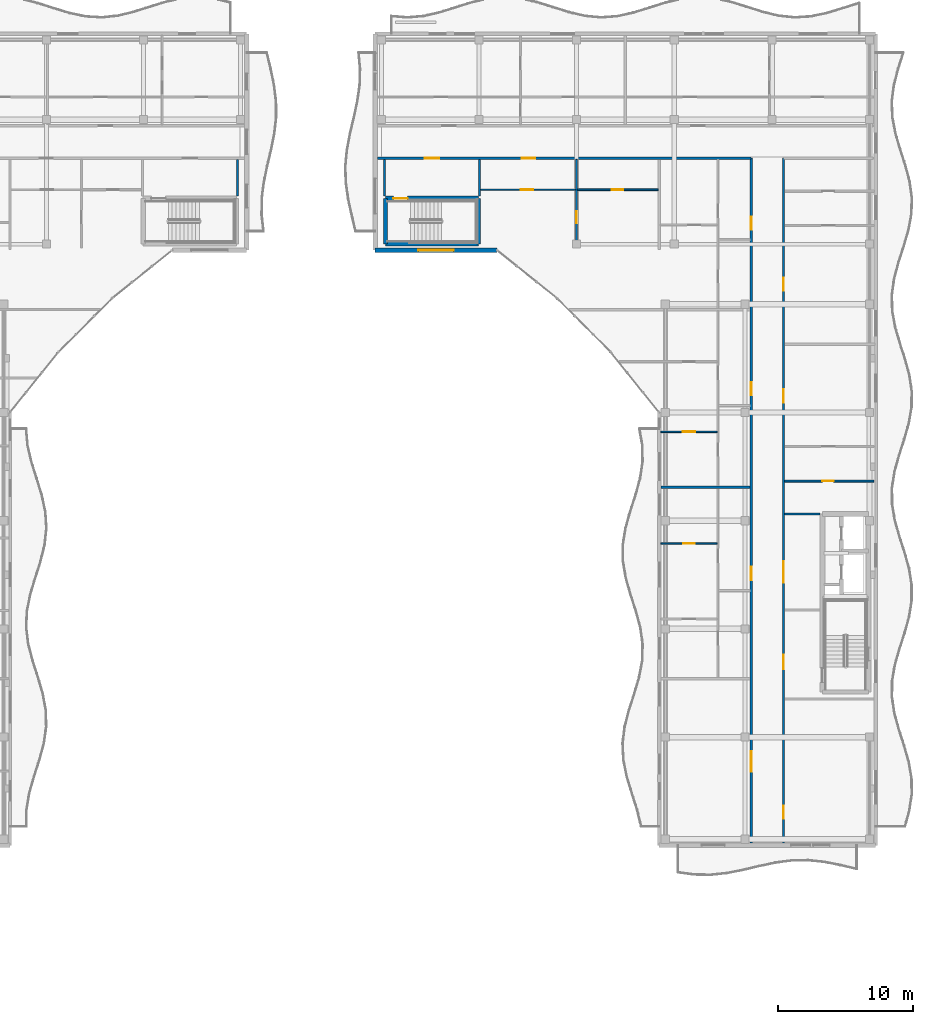
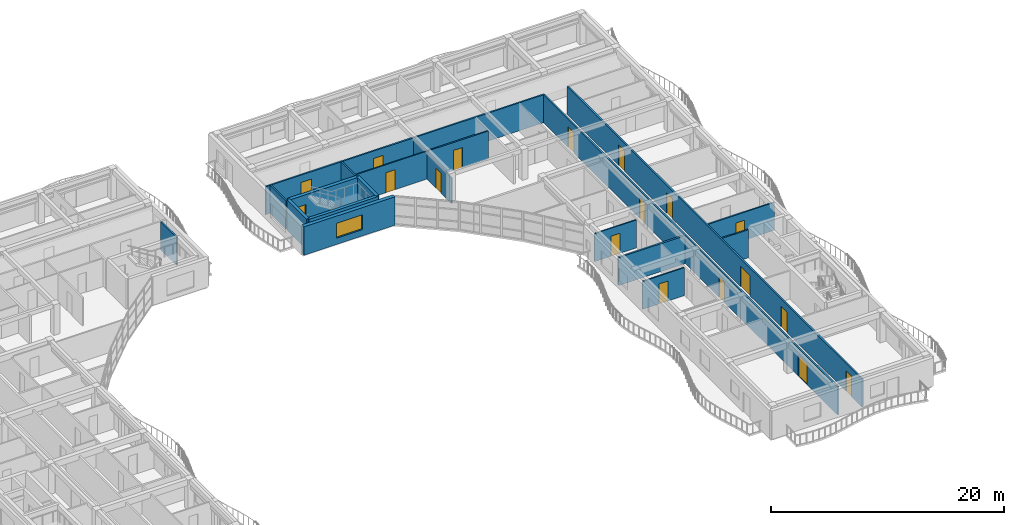
# One storey, part 51 of 79: 19 walls, 18 doors, 1 window, 19 openings.
"""IFC4 building model written with IfcOpenShell, lengths in metres."""

from ifc_helpers import new_model, si_unit, direction, frame, frame_2d, origin, place, context, subcontext, project, spatial, rectangle, extrude, material, layer, layer_set, type_object, element, fill, save


model = new_model("IFC4")

# Units and contexts
model_context = context("Model", 3, precision=1e-05, world=origin(), true_north=direction((0.0, 1.0)))
body_context = subcontext(model_context, "Body", "Model", "MODEL_VIEW")
ifc_project = project(units=[si_unit("LENGTHUNIT", "METRE"), si_unit("AREAUNIT", "SQUARE_METRE"), si_unit("VOLUMEUNIT", "CUBIC_METRE"), si_unit("PLANEANGLEUNIT", "RADIAN"), si_unit("MASSUNIT", "GRAM", prefix="KILO")], contexts=[model_context])

# Site, building, storey
site_placement = place(None, origin())
site = spatial("IfcSite", under=ifc_project, at=site_placement, CompositionType="ELEMENT")
building_placement = place(site_placement, origin())
building = spatial("IfcBuilding", under=site, at=building_placement, Name="Keldmere Railside Commons", CompositionType="ELEMENT")
storey_placement = place(building_placement, frame((0.0, 0.0, 10.56005859375)))
storey = spatial("IfcBuildingStorey", under=building, at=storey_placement, Name="L03", CompositionType="ELEMENT", Elevation=10.56005859375)

# Wall
ifc_material_1 = material(Name="Acoustic Gypsum Board Partition", Category="gypsum")
ifc_layer_1 = layer(ifc_material_1, 0.179931640625, Name="Acoustic Demising Partition 180")
ifc_layer_set_1 = layer_set([ifc_layer_1], Name="Acoustic Gypsum Board Partition")
wall_type_1 = type_object("IfcWallType", Name="Acoustic Demising Partition 180", PredefinedType="PARTITIONING", material=ifc_layer_set_1)
wall_1_placement = place(storey_placement, frame((168.1298828125, 82.4599609375, 0.0), z_axis=(0.0, 0.0, 1.0), x_axis=(1.0, 0.0, 0.0)))
element("IfcWall", 1, at=wall_1_placement, inside=storey, type_object=wall_type_1, Name="IW-1 IW-L03-1518", PredefinedType="PARTITIONING", context=body_context, shape_type="SweptSolid", body=[
    extrude(rectangle(XDim=6.590087890625, YDim=0.179931640625, at=frame_2d((3.294921875, 0.0))), origin(), (0.0, 0.0, 1.0), 2.93505859375),
])

# Wall, opening, door
ifc_layer_2 = layer(ifc_material_1, 0.1201171875, Name="Apartment Interior Partition 120")
ifc_layer_set_2 = layer_set([ifc_layer_2], Name="Acoustic Gypsum Board Partition")
wall_type_2 = type_object("IfcWallType", Name="Apartment Interior Partition 120", PredefinedType="PARTITIONING", material=ifc_layer_set_2)
wall_2_placement = place(storey_placement, frame((168.1298828125, 78.320068359375, 0.0), z_axis=(0.0, 0.0, 1.0), x_axis=(1.0, 0.0, 0.0)))
wall_2 = element("IfcWall", 2, at=wall_2_placement, inside=storey, type_object=wall_type_2, Name="IW-4 IW-L03-1523", PredefinedType="PARTITIONING", context=body_context, shape_type="SweptSolid", body=[
    extrude(rectangle(XDim=4.150146484375, YDim=0.1201171875, at=frame_2d((2.0751953125, 0.0))), origin(), (0.0, 0.0, 1.0), 2.93505859375),
])
opening_1_placement = place(wall_2_placement, frame((1.635009765625, 0.0, 0.0)))
opening_1 = element("IfcOpeningElement", 3, at=opening_1_placement, cuts=wall_2, Name="Opening ID-02", PredefinedType="OPENING", context=body_context, shape_type="SweptSolid", body=[
    extrude(rectangle(XDim=0.8798828125, YDim=2.10009765625, at=frame_2d((0.43994140625, 1.050048828125))), frame((0.0, 0.070068359375, 0.0), z_axis=(0.0, -1.0, 0.0), x_axis=(1.0, 0.0, 0.0)), (0.0, 0.0, 1.0), 0.14013671875),
])
ifc_material_2 = material(Name="Engineered Oak Timber", Category="wood")
door_type_1 = type_object("IfcDoorType", Name="Secondary Bedroom Door 880x2100", OperationType="NOTDEFINED", PredefinedType="DOOR", material=ifc_material_2)
door_1_placement = place(opening_1_placement, origin())
door_1 = element("IfcDoor", 4, at=door_1_placement, inside=storey, type_object=door_type_1, Name="ID-02 IDR-L03-1367", OperationType="SINGLE_SWING_LEFT", OverallHeight=2.10009765625, OverallWidth=0.8798828125, PredefinedType="DOOR", context=body_context, shape_type="SweptSolid", body=[
    extrude(rectangle(XDim=0.8798828125, YDim=2.10009765625, at=frame_2d((0.43994140625, 1.050048828125))), frame((0.0, 0.02490234375, 0.0), z_axis=(0.0, -1.0, 0.0), x_axis=(1.0, 0.0, 0.0)), (0.0, 0.0, 1.0), 0.050048828125),
])
fill(opening_1, door_1)

wall_3_placement = place(storey_placement, frame((168.1298828125, 86.570068359375, 0.0), z_axis=(0.0, 0.0, 1.0), x_axis=(1.0, 0.0, 0.0)))
wall_3 = element("IfcWall", 5, at=wall_3_placement, inside=storey, type_object=wall_type_2, Name="IW-4 IW-L03-1526", PredefinedType="PARTITIONING", context=body_context, shape_type="SweptSolid", body=[
    extrude(rectangle(XDim=4.150146484375, YDim=0.1201171875, at=frame_2d((2.0751953125, 0.0))), origin(), (0.0, 0.0, 1.0), 2.93505859375),
])
opening_2_placement = place(wall_3_placement, frame((1.625, 0.0, 0.0)))
opening_2 = element("IfcOpeningElement", 6, at=opening_2_placement, cuts=wall_3, Name="Opening ID-01", PredefinedType="OPENING", context=body_context, shape_type="SweptSolid", body=[
    extrude(rectangle(XDim=0.89990234375, YDim=2.10009765625, at=frame_2d((0.449951171875, 1.050048828125))), frame((0.0, 0.070068359375, 0.0), z_axis=(0.0, -1.0, 0.0), x_axis=(1.0, 0.0, 0.0)), (0.0, 0.0, 1.0), 0.14013671875),
])
door_type_2 = type_object("IfcDoorType", Name="Primary Bedroom Door 900x2100", OperationType="NOTDEFINED", PredefinedType="DOOR", material=ifc_material_2)
door_2_placement = place(opening_2_placement, origin())
door_2 = element("IfcDoor", 7, at=door_2_placement, inside=storey, type_object=door_type_2, Name="ID-01 IDR-L03-1371", OperationType="SINGLE_SWING_LEFT", OverallHeight=2.10009765625, OverallWidth=0.89990234375, PredefinedType="DOOR", context=body_context, shape_type="SweptSolid", body=[
    extrude(rectangle(XDim=0.89990234375, YDim=2.10009765625, at=frame_2d((0.449951171875, 1.050048828125))), frame((0.0, 0.02490234375, 0.0), z_axis=(0.0, -1.0, 0.0), x_axis=(1.0, 0.0, 0.0)), (0.0, 0.0, 1.0), 0.050048828125),
])
fill(opening_2, door_2)

wall_4_placement = place(storey_placement, frame((161.8798828125, 100.179931640625, 0.0), z_axis=(0.0, 0.0, 1.0), x_axis=(0.0, 1.0, 0.0)))
wall_4 = element("IfcWall", 8, at=wall_4_placement, inside=storey, type_object=wall_type_2, Name="IW-4 IW-L03-1538", PredefinedType="PARTITIONING", context=body_context, shape_type="SweptSolid", body=[
    extrude(rectangle(XDim=6.5400390625, YDim=0.1201171875, at=frame_2d((3.27001953125, 0.0))), origin(), (0.0, 0.0, 1.0), 2.679931640625),
])
opening_3_placement = place(wall_4_placement, frame((1.8017578125, 0.0, 0.0)))
opening_3 = element("IfcOpeningElement", 9, at=opening_3_placement, cuts=wall_4, Name="Opening ID-02", PredefinedType="OPENING", context=body_context, shape_type="SweptSolid", body=[
    extrude(rectangle(XDim=0.8798828125, YDim=2.10009765625, at=frame_2d((0.43994140625, 1.050048828125))), frame((0.0, 0.070068359375, 0.0), z_axis=(0.0, -1.0, 0.0), x_axis=(1.0, 0.0, 0.0)), (0.0, 0.0, 1.0), 0.14013671875),
])
door_3_placement = place(opening_3_placement, origin())
door_3 = element("IfcDoor", 10, at=door_3_placement, inside=storey, type_object=door_type_1, Name="ID-02 IDR-L03-1389", OperationType="SINGLE_SWING_LEFT", OverallHeight=2.10009765625, OverallWidth=0.8798828125, PredefinedType="DOOR", context=body_context, shape_type="SweptSolid", body=[
    extrude(rectangle(XDim=0.8798828125, YDim=2.10009765625, at=frame_2d((0.43994140625, 1.050048828125))), frame((0.0, 0.02490234375, 0.0), z_axis=(0.0, -1.0, 0.0), x_axis=(1.0, 0.0, 0.0)), (0.0, 0.0, 1.0), 0.050048828125),
])
fill(opening_3, door_3)

ifc_layer_3 = layer(ifc_material_1, 0.10009765625, Name="Closet Light Partition 100")
ifc_layer_set_3 = layer_set([ifc_layer_3], Name="Acoustic Gypsum Board Partition")
wall_type_3 = type_object("IfcWallType", Name="Closet Light Partition 100", PredefinedType="PARTITIONING", material=ifc_layer_set_3)
wall_5_placement = place(storey_placement, frame((154.800048828125, 104.469970703125, 0.0), z_axis=(0.0, 0.0, 1.0), x_axis=(1.0, 0.0, 0.0)))
wall_5 = element("IfcWall", 11, at=wall_5_placement, inside=storey, type_object=wall_type_3, Name="IW-6 IW-L03-1540", PredefinedType="PARTITIONING", context=body_context, shape_type="SweptSolid", body=[
    extrude(rectangle(XDim=7.02001953125, YDim=0.10009765625, at=frame_2d((3.510009765625, 0.0))), origin(), (0.0, 0.0, 1.0), 2.93505859375),
])
opening_4_placement = place(wall_5_placement, frame((2.9736328125, 0.0, 0.0)))
opening_4 = element("IfcOpeningElement", 12, at=opening_4_placement, cuts=wall_5, Name="Opening ID-03", PredefinedType="OPENING", context=body_context, shape_type="SweptSolid", body=[
    extrude(rectangle(XDim=0.919921875, YDim=2.10009765625, at=frame_2d((0.4599609375, 1.050048828125))), frame((0.0, 0.06005859375, 0.0), z_axis=(0.0, -1.0, 0.0), x_axis=(1.0, 0.0, 0.0)), (0.0, 0.0, 1.0), 0.1201171875),
])
door_type_3 = type_object("IfcDoorType", Name="Kitchen Pocket-Frame Swing Door 920x2100", OperationType="NOTDEFINED", PredefinedType="DOOR", material=ifc_material_2)
door_4_placement = place(opening_4_placement, origin())
door_4 = element("IfcDoor", 13, at=door_4_placement, inside=storey, type_object=door_type_3, Name="ID-03 IDR-L03-1388", OperationType="SINGLE_SWING_RIGHT", OverallHeight=2.10009765625, OverallWidth=0.919921875, PredefinedType="DOOR", context=body_context, shape_type="SweptSolid", body=[
    extrude(rectangle(XDim=0.919921875, YDim=2.10009765625, at=frame_2d((0.4599609375, 1.050048828125))), frame((0.0, 0.02490234375, 0.0), z_axis=(0.0, -1.0, 0.0), x_axis=(1.0, 0.0, 0.0)), (0.0, 0.0, 1.0), 0.050048828125),
])
fill(opening_4, door_4)

# Wall, openings, doors
ifc_layer_4 = layer(ifc_material_1, 0.159912109375, Name="Corridor Fire Partition 160")
ifc_layer_set_4 = layer_set([ifc_layer_4], Name="Acoustic Gypsum Board Partition")
wall_type_4 = type_object("IfcWallType", Name="Corridor Fire Partition 160", PredefinedType="PARTITIONING", material=ifc_layer_set_4)
wall_6_placement = place(storey_placement, frame((174.800048828125, 56.179931640625, 0.0), z_axis=(0.0, 0.0, 1.0), x_axis=(0.0, 1.0, 0.0)))
wall_6 = element("IfcWall", 14, at=wall_6_placement, inside=storey, type_object=wall_type_4, Name="IW-2 IW-L03-1509", PredefinedType="PARTITIONING", context=body_context, shape_type="SweptSolid", body=[
    extrude(rectangle(XDim=50.6201171875, YDim=0.159912109375, at=frame_2d((25.31005859375, 0.0))), origin(), (0.0, 0.0, 1.0), 2.93505859375),
])
opening_5_placement = place(wall_6_placement, frame((5.27001953125, 0.0, 0.0)))
opening_5 = element("IfcOpeningElement", 15, at=opening_5_placement, cuts=wall_6, Name="Opening ID-07", PredefinedType="OPENING", context=body_context, shape_type="SweptSolid", body=[
    extrude(rectangle(XDim=1.5, YDim=2.199951171875, at=frame_2d((0.75, 1.10009765625))), frame((0.0, 0.08984375, 0.0), z_axis=(0.0, -1.0, 0.0), x_axis=(1.0, 0.0, 0.0)), (0.0, 0.0, 1.0), 0.179931640625),
])
opening_6_placement = place(wall_6_placement, frame((19.39990234375, 0.0, 0.0)))
opening_6 = element("IfcOpeningElement", 16, at=opening_6_placement, cuts=wall_6, Name="Opening FD-8", PredefinedType="OPENING", context=body_context, shape_type="SweptSolid", body=[
    extrude(rectangle(XDim=1.02001953125, YDim=2.14990234375, at=frame_2d((0.510009765625, 1.074951171875))), frame((0.0, 0.08984375, 0.0), z_axis=(0.0, -1.0, 0.0), x_axis=(1.0, 0.0, 0.0)), (0.0, 0.0, 1.0), 0.179931640625),
])
opening_7_placement = place(wall_6_placement, frame((33.080078125, 0.0, 0.0)))
opening_7 = element("IfcOpeningElement", 17, at=opening_7_placement, cuts=wall_6, Name="Opening FD-7", PredefinedType="OPENING", context=body_context, shape_type="SweptSolid", body=[
    extrude(rectangle(XDim=0.97998046875, YDim=2.14990234375, at=frame_2d((0.489990234375, 1.074951171875))), frame((0.0, 0.08984375, 0.0), z_axis=(0.0, -1.0, 0.0), x_axis=(1.0, 0.0, 0.0)), (0.0, 0.0, 1.0), 0.179931640625),
])
opening_8_placement = place(wall_6_placement, frame((45.330078125, 0.0, 0.0)))
opening_8 = element("IfcOpeningElement", 18, at=opening_8_placement, cuts=wall_6, Name="Opening FD-7", PredefinedType="OPENING", context=body_context, shape_type="SweptSolid", body=[
    extrude(rectangle(XDim=0.97998046875, YDim=2.14990234375, at=frame_2d((0.489990234375, 1.074951171875))), frame((0.0, 0.08984375, 0.0), z_axis=(0.0, -1.0, 0.0), x_axis=(1.0, 0.0, 0.0)), (0.0, 0.0, 1.0), 0.179931640625),
])
door_type_4 = type_object("IfcDoorType", Name="Adaptable Apartment Entrance Fire Door 1020x2150", OperationType="NOTDEFINED", PredefinedType="DOOR", material=ifc_material_2)
door_5_placement = place(opening_6_placement, origin())
door_5 = element("IfcDoor", 19, at=door_5_placement, inside=storey, type_object=door_type_4, Name="FD-8 IDR-L03-1365", OperationType="SINGLE_SWING_LEFT", OverallHeight=2.14990234375, OverallWidth=1.02001953125, PredefinedType="DOOR", context=body_context, shape_type="SweptSolid", body=[
    extrude(rectangle(XDim=1.02001953125, YDim=2.14990234375, at=frame_2d((0.510009765625, 1.074951171875))), frame((0.0, 0.02490234375, 0.0), z_axis=(0.0, -1.0, 0.0), x_axis=(1.0, 0.0, 0.0)), (0.0, 0.0, 1.0), 0.050048828125),
])
fill(opening_6, door_5)
door_type_5 = type_object("IfcDoorType", Name="Apartment Entrance Acoustic Fire Door 980x2150", OperationType="NOTDEFINED", PredefinedType="DOOR", material=ifc_material_2)
door_6_placement = place(opening_7_placement, origin())
door_6 = element("IfcDoor", 20, at=door_6_placement, inside=storey, type_object=door_type_5, Name="FD-7 IDR-L03-1370", OperationType="SINGLE_SWING_RIGHT", OverallHeight=2.14990234375, OverallWidth=0.97998046875, PredefinedType="DOOR", context=body_context, shape_type="SweptSolid", body=[
    extrude(rectangle(XDim=0.97998046875, YDim=2.14990234375, at=frame_2d((0.489990234375, 1.074951171875))), frame((0.0, 0.02490234375, 0.0), z_axis=(0.0, -1.0, 0.0), x_axis=(1.0, 0.0, 0.0)), (0.0, 0.0, 1.0), 0.050048828125),
])
fill(opening_7, door_6)
door_7_placement = place(opening_8_placement, origin())
door_7 = element("IfcDoor", 21, at=door_7_placement, inside=storey, type_object=door_type_5, Name="FD-7 IDR-L03-1375", OperationType="SINGLE_SWING_LEFT", OverallHeight=2.14990234375, OverallWidth=0.97998046875, PredefinedType="DOOR", context=body_context, shape_type="SweptSolid", body=[
    extrude(rectangle(XDim=0.97998046875, YDim=2.14990234375, at=frame_2d((0.489990234375, 1.074951171875))), frame((0.0, 0.02490234375, 0.0), z_axis=(0.0, -1.0, 0.0), x_axis=(1.0, 0.0, 0.0)), (0.0, 0.0, 1.0), 0.050048828125),
])
fill(opening_8, door_7)
door_type_6 = type_object("IfcDoorType", Name="Resident Lounge Double Door 1500x2200", OperationType="DOUBLE_DOOR_SINGLE_SWING", PredefinedType="DOOR", material=ifc_material_2)
door_8_placement = place(opening_5_placement, origin())
door_8 = element("IfcDoor", 22, at=door_8_placement, inside=storey, type_object=door_type_6, Name="ID-07 IDR-L03-1362", OperationType="DOUBLE_DOOR_SINGLE_SWING", OverallHeight=2.199951171875, OverallWidth=1.5, PredefinedType="DOOR", context=body_context, shape_type="SweptSolid", body=[
    extrude(rectangle(XDim=1.5, YDim=2.199951171875, at=frame_2d((0.75, 1.10009765625))), frame((0.0, 0.02490234375, 0.0), z_axis=(0.0, -1.0, 0.0), x_axis=(1.0, 0.0, 0.0)), (0.0, 0.0, 1.0), 0.050048828125),
])
fill(opening_5, door_8)

wall_7_placement = place(storey_placement, frame((177.199951171875, 56.179931640625, 0.0), z_axis=(0.0, 0.0, 1.0), x_axis=(0.0, 1.0, 0.0)))
wall_7 = element("IfcWall", 23, at=wall_7_placement, inside=storey, type_object=wall_type_4, Name="IW-2 IW-L03-1510", PredefinedType="PARTITIONING", context=body_context, shape_type="SweptSolid", body=[
    extrude(rectangle(XDim=50.6201171875, YDim=0.159912109375, at=frame_2d((25.31005859375, 0.0))), origin(), (0.0, 0.0, 1.0), 2.93505859375),
])
opening_9_placement = place(wall_7_placement, frame((12.820068359375, 0.0, 0.0)))
opening_9 = element("IfcOpeningElement", 24, at=opening_9_placement, cuts=wall_7, Name="Opening FD-2", PredefinedType="OPENING", context=body_context, shape_type="SweptSolid", body=[
    extrude(rectangle(XDim=1.10009765625, YDim=2.14990234375, at=frame_2d((0.550048828125, 1.074951171875))), frame((0.0, 0.08984375, 0.0), z_axis=(0.0, -1.0, 0.0), x_axis=(1.0, 0.0, 0.0)), (0.0, 0.0, 1.0), 0.179931640625),
])
opening_10_placement = place(wall_7_placement, frame((19.219970703125, 0.0, 0.0)))
opening_10 = element("IfcOpeningElement", 25, at=opening_10_placement, cuts=wall_7, Name="Opening FD-4", PredefinedType="OPENING", context=body_context, shape_type="SweptSolid", body=[
    extrude(rectangle(XDim=1.60009765625, YDim=2.14990234375, at=frame_2d((0.800048828125, 1.074951171875))), frame((0.0, 0.08984375, 0.0), z_axis=(0.0, -1.0, 0.0), x_axis=(1.0, 0.0, 0.0)), (0.0, 0.0, 1.0), 0.179931640625),
])
opening_11_placement = place(wall_7_placement, frame((1.800048828125, 0.0, 0.0)))
opening_11 = element("IfcOpeningElement", 26, at=opening_11_placement, cuts=wall_7, Name="Opening ID-08", PredefinedType="OPENING", context=body_context, shape_type="SweptSolid", body=[
    extrude(rectangle(XDim=0.9599609375, YDim=2.14990234375, at=frame_2d((0.47998046875, 1.074951171875))), frame((0.0, 0.08984375, 0.0), z_axis=(0.0, -1.0, 0.0), x_axis=(1.0, 0.0, 0.0)), (0.0, 0.0, 1.0), 0.179931640625),
])
opening_12_placement = place(wall_7_placement, frame((32.550048828125, 0.0, 0.0)))
opening_12 = element("IfcOpeningElement", 27, at=opening_12_placement, cuts=wall_7, Name="Opening FD-7", PredefinedType="OPENING", context=body_context, shape_type="SweptSolid", body=[
    extrude(rectangle(XDim=0.97998046875, YDim=2.14990234375, at=frame_2d((0.489990234375, 1.074951171875))), frame((0.0, 0.08984375, 0.0), z_axis=(0.0, -1.0, 0.0), x_axis=(1.0, 0.0, 0.0)), (0.0, 0.0, 1.0), 0.179931640625),
])
opening_13_placement = place(wall_7_placement, frame((40.81005859375, 0.0, 0.0)))
opening_13 = element("IfcOpeningElement", 28, at=opening_13_placement, cuts=wall_7, Name="Opening FD-7", PredefinedType="OPENING", context=body_context, shape_type="SweptSolid", body=[
    extrude(rectangle(XDim=0.97998046875, YDim=2.14990234375, at=frame_2d((0.489990234375, 1.074951171875))), frame((0.0, 0.08984375, 0.0), z_axis=(0.0, -1.0, 0.0), x_axis=(1.0, 0.0, 0.0)), (0.0, 0.0, 1.0), 0.179931640625),
])
door_9_placement = place(opening_12_placement, origin())
door_9 = element("IfcDoor", 29, at=door_9_placement, inside=storey, type_object=door_type_5, Name="FD-7 IDR-L03-1394", OperationType="SINGLE_SWING_RIGHT", OverallHeight=2.14990234375, OverallWidth=0.97998046875, PredefinedType="DOOR", context=body_context, shape_type="SweptSolid", body=[
    extrude(rectangle(XDim=0.97998046875, YDim=2.14990234375, at=frame_2d((0.489990234375, 1.074951171875))), frame((0.0, 0.02490234375, 0.0), z_axis=(0.0, -1.0, 0.0), x_axis=(1.0, 0.0, 0.0)), (0.0, 0.0, 1.0), 0.050048828125),
])
fill(opening_12, door_9)
door_10_placement = place(opening_13_placement, origin())
door_10 = element("IfcDoor", 30, at=door_10_placement, inside=storey, type_object=door_type_5, Name="FD-7 IDR-L03-1397", OperationType="SINGLE_SWING_LEFT", OverallHeight=2.14990234375, OverallWidth=0.97998046875, PredefinedType="DOOR", context=body_context, shape_type="SweptSolid", body=[
    extrude(rectangle(XDim=0.97998046875, YDim=2.14990234375, at=frame_2d((0.489990234375, 1.074951171875))), frame((0.0, 0.02490234375, 0.0), z_axis=(0.0, -1.0, 0.0), x_axis=(1.0, 0.0, 0.0)), (0.0, 0.0, 1.0), 0.050048828125),
])
fill(opening_13, door_10)
ifc_material_3 = material(Name="Steel F-24 (S235)", Category="steel")
door_type_7 = type_object("IfcDoorType", Name="Corridor Cross-Compartment Double Fire Door 1600x2150", OperationType="DOUBLE_DOOR_SINGLE_SWING", PredefinedType="DOOR", material=ifc_material_3)
door_11_placement = place(opening_10_placement, origin())
door_11 = element("IfcDoor", 31, at=door_11_placement, inside=storey, type_object=door_type_7, Name="FD-4 IDR-L03-1361", OperationType="DOUBLE_DOOR_SINGLE_SWING", OverallHeight=2.14990234375, OverallWidth=1.60009765625, PredefinedType="DOOR", context=body_context, shape_type="SweptSolid", body=[
    extrude(rectangle(XDim=1.60009765625, YDim=2.14990234375, at=frame_2d((0.800048828125, 1.074951171875))), frame((0.0, 0.02490234375, 0.0), z_axis=(0.0, -1.0, 0.0), x_axis=(1.0, 0.0, 0.0)), (0.0, 0.0, 1.0), 0.050048828125),
])
fill(opening_10, door_11)
door_type_8 = type_object("IfcDoorType", Name="Firefighting Lobby Fire Door 1100x2150", OperationType="NOTDEFINED", PredefinedType="DOOR", material=ifc_material_3)
door_12_placement = place(opening_9_placement, origin())
door_12 = element("IfcDoor", 32, at=door_12_placement, inside=storey, type_object=door_type_8, Name="FD-2 IDR-L03-1360", OperationType="SINGLE_SWING_RIGHT", OverallHeight=2.14990234375, OverallWidth=1.10009765625, PredefinedType="DOOR", context=body_context, shape_type="SweptSolid", body=[
    extrude(rectangle(XDim=1.10009765625, YDim=2.14990234375, at=frame_2d((0.550048828125, 1.074951171875))), frame((0.0, 0.02490234375, 0.0), z_axis=(0.0, -1.0, 0.0), x_axis=(1.0, 0.0, 0.0)), (0.0, 0.0, 1.0), 0.050048828125),
])
fill(opening_9, door_12)
door_type_9 = type_object("IfcDoorType", Name="Study & Meeting Room Door 960x2150", OperationType="NOTDEFINED", PredefinedType="DOOR", material=ifc_material_2)
door_13_placement = place(opening_11_placement, origin())
door_13 = element("IfcDoor", 33, at=door_13_placement, inside=storey, type_object=door_type_9, Name="ID-08 IDR-L03-1391", OperationType="SINGLE_SWING_LEFT", OverallHeight=2.14990234375, OverallWidth=0.9599609375, PredefinedType="DOOR", context=body_context, shape_type="SweptSolid", body=[
    extrude(rectangle(XDim=0.9599609375, YDim=2.14990234375, at=frame_2d((0.47998046875, 1.074951171875))), frame((0.0, 0.02490234375, 0.0), z_axis=(0.0, -1.0, 0.0), x_axis=(1.0, 0.0, 0.0)), (0.0, 0.0, 1.0), 0.050048828125),
])
fill(opening_11, door_13)

wall_8_placement = place(storey_placement, frame((147.179931640625, 106.800048828125, 0.0), z_axis=(0.0, 0.0, 1.0), x_axis=(1.0, 0.0, 0.0)))
wall_8 = element("IfcWall", 34, at=wall_8_placement, inside=storey, type_object=wall_type_4, Name="IW-2 IW-L03-1511", PredefinedType="PARTITIONING", context=body_context, shape_type="SweptSolid", body=[
    extrude(rectangle(XDim=27.6201171875, YDim=0.159912109375, at=frame_2d((13.81005859375, 0.0))), origin(), (0.0, 0.0, 1.0), 2.93505859375),
])
opening_14_placement = place(wall_8_placement, frame((3.4951171875, 0.0, 0.0)))
opening_14 = element("IfcOpeningElement", 35, at=opening_14_placement, cuts=wall_8, Name="Opening FD-1", PredefinedType="OPENING", context=body_context, shape_type="SweptSolid", body=[
    extrude(rectangle(XDim=1.050048828125, YDim=2.14990234375, at=frame_2d((0.52490234375, 1.074951171875))), frame((0.0, 0.08984375, 0.0), z_axis=(0.0, -1.0, 0.0), x_axis=(1.0, 0.0, 0.0)), (0.0, 0.0, 1.0), 0.179931640625),
])
opening_15_placement = place(wall_8_placement, frame((10.669921875, 0.0, 0.0)))
opening_15 = element("IfcOpeningElement", 36, at=opening_15_placement, cuts=wall_8, Name="Opening FD-7", PredefinedType="OPENING", context=body_context, shape_type="SweptSolid", body=[
    extrude(rectangle(XDim=0.97998046875, YDim=2.14990234375, at=frame_2d((0.489990234375, 1.074951171875))), frame((0.0, 0.08984375, 0.0), z_axis=(0.0, -1.0, 0.0), x_axis=(1.0, 0.0, 0.0)), (0.0, 0.0, 1.0), 0.179931640625),
])
door_14_placement = place(opening_15_placement, origin())
door_14 = element("IfcDoor", 37, at=door_14_placement, inside=storey, type_object=door_type_5, Name="FD-7 IDR-L03-1387", OperationType="SINGLE_SWING_LEFT", OverallHeight=2.14990234375, OverallWidth=0.97998046875, PredefinedType="DOOR", context=body_context, shape_type="SweptSolid", body=[
    extrude(rectangle(XDim=0.97998046875, YDim=2.14990234375, at=frame_2d((0.489990234375, 1.074951171875))), frame((0.0, 0.02490234375, 0.0), z_axis=(0.0, -1.0, 0.0), x_axis=(1.0, 0.0, 0.0)), (0.0, 0.0, 1.0), 0.050048828125),
])
fill(opening_15, door_14)
door_type_10 = type_object("IfcDoorType", Name="Stair Core Fire Door 1050x2150", OperationType="NOTDEFINED", PredefinedType="DOOR", material=ifc_material_3)
door_15_placement = place(opening_14_placement, origin())
door_15 = element("IfcDoor", 38, at=door_15_placement, inside=storey, type_object=door_type_10, Name="FD-1 IDR-L03-1359", OperationType="SINGLE_SWING_LEFT", OverallHeight=2.14990234375, OverallWidth=1.050048828125, PredefinedType="DOOR", context=body_context, shape_type="SweptSolid", body=[
    extrude(rectangle(XDim=1.050048828125, YDim=2.14990234375, at=frame_2d((0.52490234375, 1.074951171875))), frame((0.0, 0.02490234375, 0.0), z_axis=(0.0, -1.0, 0.0), x_axis=(1.0, 0.0, 0.0)), (0.0, 0.0, 1.0), 0.050048828125),
])
fill(opening_14, door_15)

# Wall, opening, window
ifc_material_4 = material(Name="Concrete H-35 (C35/45)", Category="concrete")
ifc_layer_5 = layer(ifc_material_4, 0.360107421875, Name="Exterior Shear Wall 360")
ifc_layer_set_5 = layer_set([ifc_layer_5], Name="Concrete H-35 (C35/45)")
wall_type_5 = type_object("IfcWallType", Name="Exterior Shear Wall 360", PredefinedType="SHEAR", material=ifc_layer_set_5)
wall_9_placement = place(storey_placement, frame((156.0, 100.0, 0.0), z_axis=(0.0, 0.0, 1.0), x_axis=(-1.0, 0.0, 0.0)))
wall_9 = element("IfcWall", 39, at=wall_9_placement, inside=storey, type_object=wall_type_5, Name="ESW-1 EXTA-L03-0900", PredefinedType="SHEAR", context=body_context, shape_type="SweptSolid", body=[
    extrude(rectangle(XDim=9.0, YDim=0.360107421875, at=frame_2d((4.5, 0.0))), origin(), (0.0, 0.0, 1.0), 2.97998046875),
])
opening_16_placement = place(wall_9_placement, frame((3.199951171875, 0.0, 0.669921875)))
opening_16 = element("IfcOpeningElement", 40, at=opening_16_placement, cuts=wall_9, Name="Opening WN-39", PredefinedType="OPENING", context=body_context, shape_type="SweptSolid", body=[
    extrude(rectangle(XDim=2.60009765625, YDim=1.550048828125, at=frame_2d((1.300048828125, 0.77490234375))), frame((0.0, 0.18994140625, 0.0), z_axis=(0.0, -1.0, 0.0), x_axis=(1.0, 0.0, 0.0)), (0.0, 0.0, 1.0), 0.380126953125),
])
ifc_material_5 = material(Name="Low-E Insulated Double Glazing", Category="glass")
window_type = type_object("IfcWindowType", Name="Three-Bed Corner Living Window 2600x1550", PartitioningType="SINGLE_PANEL", PredefinedType="WINDOW", material=ifc_material_5)
window_placement = place(opening_16_placement, origin())
window = element("IfcWindow", 41, at=window_placement, inside=storey, type_object=window_type, Name="WN-39 WIN-L03-0638", OverallHeight=1.550048828125, OverallWidth=2.60009765625, PartitioningType="SINGLE_PANEL", PredefinedType="WINDOW", context=body_context, shape_type="SweptSolid", body=[
    extrude(rectangle(XDim=2.60009765625, YDim=1.550048828125, at=frame_2d((1.300048828125, 0.77490234375))), frame((0.0, 0.030029296875, 0.0), z_axis=(0.0, -1.0, 0.0), x_axis=(1.0, 0.0, 0.0)), (0.0, 0.0, 1.0), 0.06005859375),
])
fill(opening_16, window)

# Walls
ifc_layer_6 = layer(ifc_material_4, 0.300048828125, Name="Interior Shear Wall 300")
ifc_layer_set_6 = layer_set([ifc_layer_6], Name="Concrete H-35 (C35/45)")
wall_type_6 = type_object("IfcWallType", Name="Interior Shear Wall 300", PredefinedType="SHEAR", material=ifc_layer_set_6)
wall_10_placement = place(storey_placement, frame((147.75, 100.449951171875, 0.0), z_axis=(0.0, 0.0, 1.0), x_axis=(1.0, 0.0, 0.0)))
element("IfcWall", 42, at=wall_10_placement, inside=storey, type_object=wall_type_6, Name="ISW-2 COREA2S-L03-0752", PredefinedType="SHEAR", context=body_context, shape_type="SweptSolid", body=[
    extrude(rectangle(XDim=6.89990234375, YDim=0.300048828125, at=frame_2d((3.449951171875, 0.0))), origin(), (0.0, 0.0, 1.0), 3.199951171875),
])
for number, where, z_axis, x_axis, name in (
    (43, (147.75, 103.820068359375, 0.0), (0.0, 0.0, 1.0), (0.0, -1.0, 0.0), "ISW-2 COREA2W-L03-0754"),
    (44, (154.64990234375, 100.449951171875, 0.0), (0.0, 0.0, 1.0), (0.0, 1.0, 0.0), "ISW-2 COREA2E-L03-0755"),
):
    element("IfcWall", number, at=place(storey_placement, frame(where, z_axis=z_axis, x_axis=x_axis)), inside=storey, type_object=wall_type_6, Name=name, PredefinedType="SHEAR", context=body_context, shape_type="SweptSolid", body=[
        extrude(rectangle(XDim=3.3701171875, YDim=0.300048828125, at=frame_2d((1.68505859375, 0.0))), origin(), (0.0, 0.0, 1.0), 3.199951171875),
    ])

# Wall, opening, door
ifc_layer_7 = layer(ifc_material_4, 0.340087890625, Name="Interior Shear Wall 340")
ifc_layer_set_7 = layer_set([ifc_layer_7], Name="Concrete H-35 (C35/45)")
wall_type_7 = type_object("IfcWallType", Name="Interior Shear Wall 340", PredefinedType="SHEAR", material=ifc_layer_set_7)
wall_11_placement = place(storey_placement, frame((154.64990234375, 103.820068359375, 0.0), z_axis=(0.0, 0.0, 1.0), x_axis=(-1.0, 0.0, 0.0)))
wall_11 = element("IfcWall", 45, at=wall_11_placement, inside=storey, type_object=wall_type_7, Name="ISW-1 COREA2N-L03-0753", PredefinedType="SHEAR", context=body_context, shape_type="SweptSolid", body=[
    extrude(rectangle(XDim=6.89990234375, YDim=0.340087890625, at=frame_2d((3.449951171875, 0.0))), origin(), (0.0, 0.0, 1.0), 3.199951171875),
])
opening_17_placement = place(wall_11_placement, frame((5.25, 0.0, 0.0)))
opening_17 = element("IfcOpeningElement", 46, at=opening_17_placement, cuts=wall_11, Name="Opening FD-1", PredefinedType="OPENING", context=body_context, shape_type="SweptSolid", body=[
    extrude(rectangle(XDim=1.050048828125, YDim=2.14990234375, at=frame_2d((0.52490234375, 1.074951171875))), frame((0.0, 0.179931640625, 0.0), z_axis=(0.0, -1.0, 0.0), x_axis=(1.0, 0.0, 0.0)), (0.0, 0.0, 1.0), 0.360107421875),
])
door_16_placement = place(opening_17_placement, origin())
door_16 = element("IfcDoor", 47, at=door_16_placement, inside=storey, type_object=door_type_10, Name="FD-1 A2 L03", OperationType="SINGLE_SWING_RIGHT", OverallHeight=2.14990234375, OverallWidth=1.050048828125, PredefinedType="DOOR", context=body_context, shape_type="SweptSolid", body=[
    extrude(rectangle(XDim=1.050048828125, YDim=2.14990234375, at=frame_2d((0.52490234375, 1.074951171875))), frame((0.0, 0.02490234375, 0.0), z_axis=(0.0, -1.0, 0.0), x_axis=(1.0, 0.0, 0.0)), (0.0, 0.0, 1.0), 0.050048828125),
])
fill(opening_17, door_16)

# Walls
ifc_layer_8 = layer(ifc_material_1, 0.14990234375, Name="Lobby Rated Partition 150")
ifc_layer_set_8 = layer_set([ifc_layer_8], Name="Acoustic Gypsum Board Partition")
wall_type_8 = type_object("IfcWallType", Name="Lobby Rated Partition 150", PredefinedType="PARTITIONING", material=ifc_layer_set_8)
wall_12_placement = place(storey_placement, frame((136.820068359375, 103.989990234375, 0.0), z_axis=(0.0, 0.0, 1.0), x_axis=(0.0, 1.0, 0.0)))
element("IfcWall", 48, at=wall_12_placement, inside=storey, type_object=wall_type_8, Name="IW-3 IW-L03-1017", PredefinedType="PARTITIONING", context=body_context, shape_type="SweptSolid", body=[
    extrude(rectangle(XDim=2.72998046875, YDim=0.14990234375, at=frame_2d((1.364990234375, 0.0))), origin(), (0.0, 0.0, 1.0), 2.93505859375),
])
wall_13_placement = place(storey_placement, frame((177.280029296875, 80.5, 0.0), z_axis=(0.0, 0.0, 1.0), x_axis=(1.0, 0.0, 0.0)))
element("IfcWall", 49, at=wall_13_placement, inside=storey, type_object=wall_type_8, Name="IW-3 IW-L03-1508", PredefinedType="PARTITIONING", context=body_context, shape_type="SweptSolid", body=[
    extrude(rectangle(XDim=2.590087890625, YDim=0.14990234375, at=frame_2d((1.294921875, 0.0))), origin(), (0.0, 0.0, 1.0), 2.93505859375),
])
for number, where, z_axis, x_axis, name in (
    (50, (147.679931640625, 103.989990234375, 0.0), (0.0, 0.0, 1.0), (0.0, 1.0, 0.0), "IW-3 IW-L03-1515"),
    (51, (154.719970703125, 103.989990234375, 0.0), (0.0, 0.0, 1.0), (0.0, 1.0, 0.0), "IW-3 IW-L03-1516"),
):
    element("IfcWall", number, at=place(storey_placement, frame(where, z_axis=z_axis, x_axis=x_axis)), inside=storey, type_object=wall_type_8, Name=name, PredefinedType="PARTITIONING", context=body_context, shape_type="SweptSolid", body=[
        extrude(rectangle(XDim=2.72998046875, YDim=0.14990234375, at=frame_2d((1.364990234375, 0.0))), origin(), (0.0, 0.0, 1.0), 2.93505859375),
    ])

# Wall, opening, door
ifc_layer_9 = layer(ifc_material_1, 0.139892578125, Name="Wet-Room Sanitary Partition 140")
ifc_layer_set_9 = layer_set([ifc_layer_9], Name="Acoustic Gypsum Board Partition")
wall_type_9 = type_object("IfcWallType", Name="Wet-Room Sanitary Partition 140", PredefinedType="PARTITIONING", material=ifc_layer_set_9)
wall_14_placement = place(storey_placement, frame((161.93994140625, 104.469970703125, 0.0), z_axis=(0.0, 0.0, 1.0), x_axis=(1.0, 0.0, 0.0)))
wall_14 = element("IfcWall", 52, at=wall_14_placement, inside=storey, type_object=wall_type_9, Name="IW-5 IW-L03-1539", PredefinedType="PARTITIONING", context=body_context, shape_type="SweptSolid", body=[
    extrude(rectangle(XDim=5.969970703125, YDim=0.139892578125, at=frame_2d((2.98486328125, 0.0))), origin(), (0.0, 0.0, 1.0), 2.93505859375),
])
opening_18_placement = place(wall_14_placement, frame((2.53271484375, 0.0, 0.0)))
opening_18 = element("IfcOpeningElement", 53, at=opening_18_placement, cuts=wall_14, Name="Opening ID-04", PredefinedType="OPENING", context=body_context, shape_type="SweptSolid", body=[
    extrude(rectangle(XDim=0.860107421875, YDim=2.10009765625, at=frame_2d((0.43017578125, 1.050048828125))), frame((0.0, 0.079833984375, 0.0), z_axis=(0.0, -1.0, 0.0), x_axis=(1.0, 0.0, 0.0)), (0.0, 0.0, 1.0), 0.159912109375),
])
door_type_11 = type_object("IfcDoorType", Name="Apartment Bathroom Door 860x2100", OperationType="NOTDEFINED", PredefinedType="DOOR", material=ifc_material_2)
door_17_placement = place(opening_18_placement, origin())
door_17 = element("IfcDoor", 54, at=door_17_placement, inside=storey, type_object=door_type_11, Name="ID-04 IDR-L03-1390", OperationType="SINGLE_SWING_RIGHT", OverallHeight=2.10009765625, OverallWidth=0.860107421875, PredefinedType="DOOR", context=body_context, shape_type="SweptSolid", body=[
    extrude(rectangle(XDim=0.860107421875, YDim=2.10009765625, at=frame_2d((0.43017578125, 1.050048828125))), frame((0.0, 0.02490234375, 0.0), z_axis=(0.0, -1.0, 0.0), x_axis=(1.0, 0.0, 0.0)), (0.0, 0.0, 1.0), 0.050048828125),
])
fill(opening_18, door_17)

wall_15_placement = place(storey_placement, frame((177.280029296875, 82.929931640625, 0.0), z_axis=(0.0, 0.0, 1.0), x_axis=(1.0, 0.0, 0.0)))
wall_15 = element("IfcWall", 55, at=wall_15_placement, inside=storey, type_object=wall_type_9, Name="IW-5 IW-L03-1542", PredefinedType="PARTITIONING", context=body_context, shape_type="SweptSolid", body=[
    extrude(rectangle(XDim=6.590087890625, YDim=0.139892578125, at=frame_2d((3.294921875, 0.0))), origin(), (0.0, 0.0, 1.0), 2.93505859375),
])
opening_19_placement = place(wall_15_placement, frame((2.767822265625, 0.0, 0.0)))
opening_19 = element("IfcOpeningElement", 56, at=opening_19_placement, cuts=wall_15, Name="Opening ID-04", PredefinedType="OPENING", context=body_context, shape_type="SweptSolid", body=[
    extrude(rectangle(XDim=0.860107421875, YDim=2.10009765625, at=frame_2d((0.43017578125, 1.050048828125))), frame((0.0, 0.079833984375, 0.0), z_axis=(0.0, -1.0, 0.0), x_axis=(1.0, 0.0, 0.0)), (0.0, 0.0, 1.0), 0.159912109375),
])
door_18_placement = place(opening_19_placement, origin())
door_18 = element("IfcDoor", 57, at=door_18_placement, inside=storey, type_object=door_type_11, Name="ID-04 IDR-L03-1392", OperationType="SINGLE_SWING_RIGHT", OverallHeight=2.10009765625, OverallWidth=0.860107421875, PredefinedType="DOOR", context=body_context, shape_type="SweptSolid", body=[
    extrude(rectangle(XDim=0.860107421875, YDim=2.10009765625, at=frame_2d((0.43017578125, 1.050048828125))), frame((0.0, 0.02490234375, 0.0), z_axis=(0.0, -1.0, 0.0), x_axis=(1.0, 0.0, 0.0)), (0.0, 0.0, 1.0), 0.050048828125),
])
fill(opening_19, door_18)

save(model, "model.ifc")
